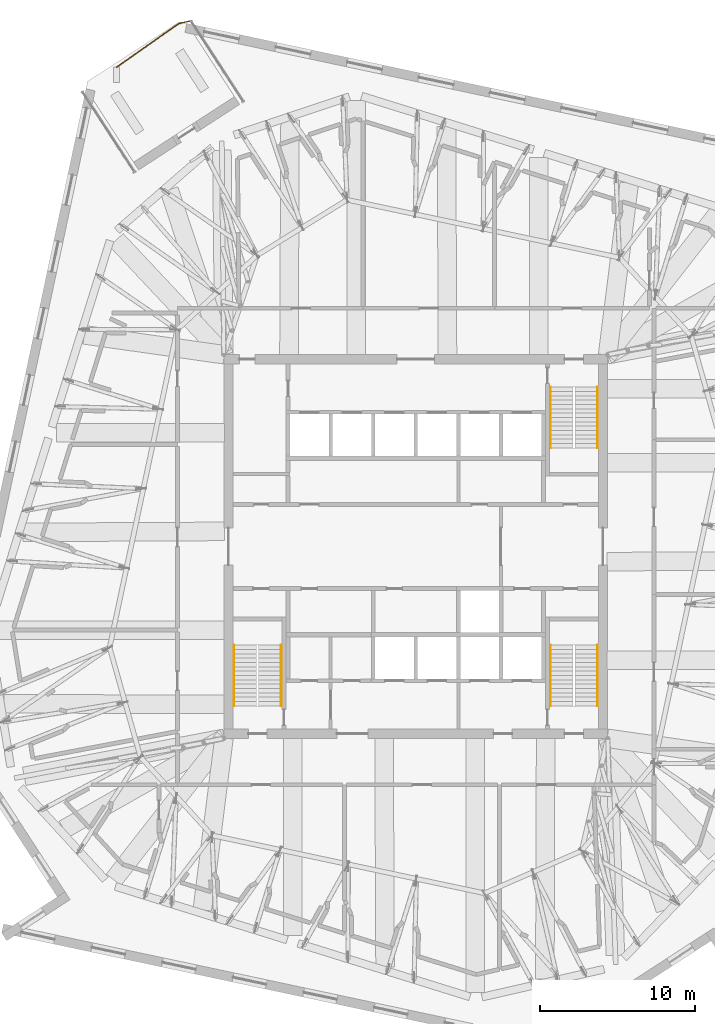
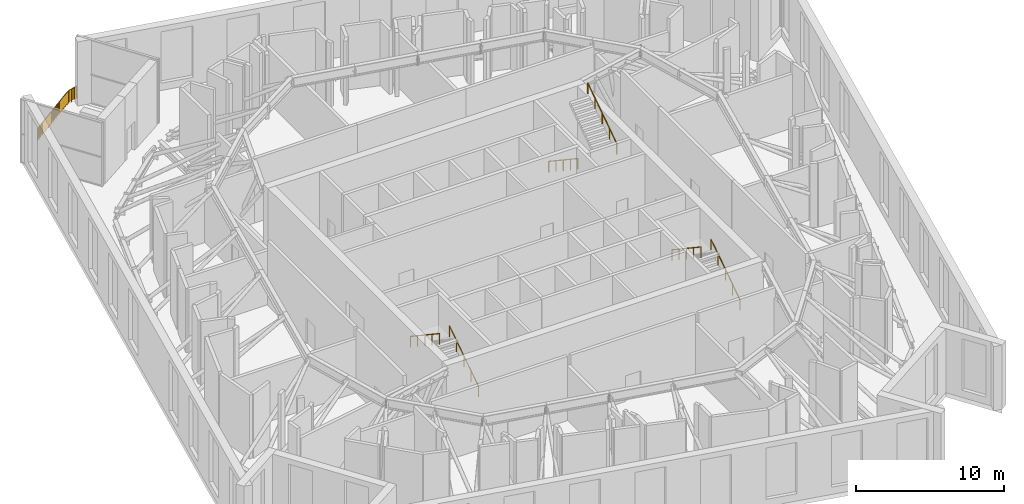
# One storey, part 18 of 19: 7 railings.
"""IFC4 building model written with IfcOpenShell, lengths in metres."""

from ifc_helpers import new_model, si_unit, direction, frame, origin, origin_2d, place, context, subcontext, project, spatial, rectangle, circle, extrude, material, type_object, element, save


model = new_model("IFC4")

# Units and contexts
model_context = context("Model", 3, precision=1e-05, world=origin(), true_north=direction((0.0, 1.0)))
body_context = subcontext(model_context, "Body", "Model", "MODEL_VIEW")
ifc_project = project(units=[si_unit("LENGTHUNIT", "METRE"), si_unit("AREAUNIT", "SQUARE_METRE"), si_unit("VOLUMEUNIT", "CUBIC_METRE"), si_unit("PLANEANGLEUNIT", "RADIAN"), si_unit("MASSUNIT", "GRAM", prefix="KILO")], contexts=[model_context])

# Site, building, storey
site_placement = place(None, origin())
site = spatial("IfcSite", under=ifc_project, at=site_placement, CompositionType="ELEMENT")
building_placement = place(site_placement, origin())
building = spatial("IfcBuilding", under=site, at=building_placement, Name="Dilmun Exchange Tower", CompositionType="ELEMENT")
storey_placement = place(building_placement, frame((0.0, 0.0, 344.5)))
storey = spatial("IfcBuildingStorey", under=building, at=storey_placement, Name="L82", CompositionType="ELEMENT", Elevation=344.5)

# Railings
ifc_material = material(Name="Stainless steel", Category="steel")
railing_type_1 = type_object("IfcRailingType", Name="Stair handrail 900", PredefinedType="HANDRAIL", material=ifc_material)
railing_1_placement = place(storey_placement, frame((8.699951171875, 10.300048828125, 0.186767578125)))
element("IfcRailing", 1, at=railing_1_placement, inside=storey, type_object=railing_type_1, Name="L82 ST1 stair handrail 1", PredefinedType="HANDRAIL", context=body_context, shape_type="SweptSolid", body=[
    extrude(circle(Radius=0.02392578125, at=origin_2d()), frame((0.0, 0.0, 0.8759765625), z_axis=(0.0, -0.832066238466, 0.554676279289), x_axis=(1.0, 0.0, 0.0)), (0.0, 0.0, 1.0), 4.71142578125),
    extrude(circle(Radius=0.02099609375, at=origin_2d()), origin(), (0.0, 0.0, 1.0), 0.851806640625),
    extrude(circle(Radius=0.02099609375, at=origin_2d()), frame((0.0, -0.97998046875, 0.6533203125)), (0.0, 0.0, 1.0), 0.851806640625),
    extrude(circle(Radius=0.02099609375, at=origin_2d()), frame((0.0, -1.9599609375, 1.306640625)), (0.0, 0.0, 1.0), 0.851806640625),
    extrude(circle(Radius=0.02099609375, at=origin_2d()), frame((0.0, -2.940185546875, 1.9599609375)), (0.0, 0.0, 1.0), 0.851806640625),
    extrude(circle(Radius=0.02099609375, at=origin_2d()), frame((0.0, -3.920166015625, 2.61328125)), (0.0, 0.0, 1.0), 0.851806640625),
])
railing_2_placement = place(storey_placement, frame((11.75, 6.3798828125, 2.986572265625)))
element("IfcRailing", 2, at=railing_2_placement, inside=storey, type_object=railing_type_1, Name="L82 ST1 stair handrail 2", PredefinedType="HANDRAIL", context=body_context, shape_type="SweptSolid", body=[
    extrude(circle(Radius=0.02392578125, at=origin_2d()), frame((0.0, 0.0, 0.8759765625), z_axis=(0.0, 0.832042322245, 0.554712154178), x_axis=(-1.0, 0.0, 0.0)), (0.0, 0.0, 1.0), 4.71142578125),
    extrude(circle(Radius=0.02099609375, at=origin_2d()), origin(), (0.0, 0.0, 1.0), 0.851806640625),
    extrude(circle(Radius=0.02099609375, at=origin_2d()), frame((0.0, 0.97998046875, 0.6533203125)), (0.0, 0.0, 1.0), 0.851806640625),
    extrude(circle(Radius=0.02099609375, at=origin_2d()), frame((0.0, 1.9599609375, 1.306640625)), (0.0, 0.0, 1.0), 0.851806640625),
    extrude(circle(Radius=0.02099609375, at=origin_2d()), frame((0.0, 2.940185546875, 1.960205078125)), (0.0, 0.0, 1.0), 0.851806640625),
    extrude(circle(Radius=0.02099609375, at=origin_2d()), frame((0.0, 3.920166015625, 2.613525390625)), (0.0, 0.0, 1.0), 0.851806640625),
])
railing_3_placement = place(storey_placement, frame((-8.699951171875, -10.300048828125, 0.186767578125)))
element("IfcRailing", 3, at=railing_3_placement, inside=storey, type_object=railing_type_1, Name="L82 ST2 stair handrail 1", PredefinedType="HANDRAIL", context=body_context, shape_type="SweptSolid", body=[
    extrude(circle(Radius=0.02392578125, at=origin_2d()), frame((0.0, 0.0, 0.8759765625), z_axis=(0.0, 0.832066238466, 0.554676279289), x_axis=(-1.0, 0.0, 0.0)), (0.0, 0.0, 1.0), 4.71142578125),
    extrude(circle(Radius=0.02099609375, at=origin_2d()), origin(), (0.0, 0.0, 1.0), 0.851806640625),
    extrude(circle(Radius=0.02099609375, at=origin_2d()), frame((0.0, 0.97998046875, 0.6533203125)), (0.0, 0.0, 1.0), 0.851806640625),
    extrude(circle(Radius=0.02099609375, at=origin_2d()), frame((0.0, 1.9599609375, 1.306640625)), (0.0, 0.0, 1.0), 0.851806640625),
    extrude(circle(Radius=0.02099609375, at=origin_2d()), frame((0.0, 2.940185546875, 1.9599609375)), (0.0, 0.0, 1.0), 0.851806640625),
    extrude(circle(Radius=0.02099609375, at=origin_2d()), frame((0.0, 3.920166015625, 2.61328125)), (0.0, 0.0, 1.0), 0.851806640625),
])
railing_4_placement = place(storey_placement, frame((-11.75, -6.3798828125, 2.986572265625)))
element("IfcRailing", 4, at=railing_4_placement, inside=storey, type_object=railing_type_1, Name="L82 ST2 stair handrail 2", PredefinedType="HANDRAIL", context=body_context, shape_type="SweptSolid", body=[
    extrude(circle(Radius=0.02392578125, at=origin_2d()), frame((0.0, 0.0, 0.8759765625), z_axis=(0.0, -0.832042322245, 0.554712154178), x_axis=(1.0, 0.0, 0.0)), (0.0, 0.0, 1.0), 4.71142578125),
    extrude(circle(Radius=0.02099609375, at=origin_2d()), origin(), (0.0, 0.0, 1.0), 0.851806640625),
    extrude(circle(Radius=0.02099609375, at=origin_2d()), frame((0.0, -0.97998046875, 0.6533203125)), (0.0, 0.0, 1.0), 0.851806640625),
    extrude(circle(Radius=0.02099609375, at=origin_2d()), frame((0.0, -1.9599609375, 1.306640625)), (0.0, 0.0, 1.0), 0.851806640625),
    extrude(circle(Radius=0.02099609375, at=origin_2d()), frame((0.0, -2.940185546875, 1.960205078125)), (0.0, 0.0, 1.0), 0.851806640625),
    extrude(circle(Radius=0.02099609375, at=origin_2d()), frame((0.0, -3.920166015625, 2.613525390625)), (0.0, 0.0, 1.0), 0.851806640625),
])
railing_5_placement = place(storey_placement, frame((11.75, -10.300048828125, 0.186767578125)))
element("IfcRailing", 5, at=railing_5_placement, inside=storey, type_object=railing_type_1, Name="L82 ST3 stair handrail 1", PredefinedType="HANDRAIL", context=body_context, shape_type="SweptSolid", body=[
    extrude(circle(Radius=0.02392578125, at=origin_2d()), frame((0.0, 0.0, 0.8759765625), z_axis=(0.0, 0.832066238466, 0.554676279289), x_axis=(-1.0, 0.0, 0.0)), (0.0, 0.0, 1.0), 4.71142578125),
    extrude(circle(Radius=0.02099609375, at=origin_2d()), origin(), (0.0, 0.0, 1.0), 0.851806640625),
    extrude(circle(Radius=0.02099609375, at=origin_2d()), frame((0.0, 0.97998046875, 0.6533203125)), (0.0, 0.0, 1.0), 0.851806640625),
    extrude(circle(Radius=0.02099609375, at=origin_2d()), frame((0.0, 1.9599609375, 1.306640625)), (0.0, 0.0, 1.0), 0.851806640625),
    extrude(circle(Radius=0.02099609375, at=origin_2d()), frame((0.0, 2.940185546875, 1.9599609375)), (0.0, 0.0, 1.0), 0.851806640625),
    extrude(circle(Radius=0.02099609375, at=origin_2d()), frame((0.0, 3.920166015625, 2.61328125)), (0.0, 0.0, 1.0), 0.851806640625),
])
railing_6_placement = place(storey_placement, frame((8.699951171875, -6.3798828125, 2.986572265625)))
element("IfcRailing", 6, at=railing_6_placement, inside=storey, type_object=railing_type_1, Name="L82 ST3 stair handrail 2", PredefinedType="HANDRAIL", context=body_context, shape_type="SweptSolid", body=[
    extrude(circle(Radius=0.02392578125, at=origin_2d()), frame((0.0, 0.0, 0.8759765625), z_axis=(0.0, -0.832042322245, 0.554712154178), x_axis=(1.0, 0.0, 0.0)), (0.0, 0.0, 1.0), 4.71142578125),
    extrude(circle(Radius=0.02099609375, at=origin_2d()), origin(), (0.0, 0.0, 1.0), 0.851806640625),
    extrude(circle(Radius=0.02099609375, at=origin_2d()), frame((0.0, -0.97998046875, 0.6533203125)), (0.0, 0.0, 1.0), 0.851806640625),
    extrude(circle(Radius=0.02099609375, at=origin_2d()), frame((0.0, -1.9599609375, 1.306640625)), (0.0, 0.0, 1.0), 0.851806640625),
    extrude(circle(Radius=0.02099609375, at=origin_2d()), frame((0.0, -2.940185546875, 1.960205078125)), (0.0, 0.0, 1.0), 0.851806640625),
    extrude(circle(Radius=0.02099609375, at=origin_2d()), frame((0.0, -3.920166015625, 2.613525390625)), (0.0, 0.0, 1.0), 0.851806640625),
])
railing_type_2 = type_object("IfcRailingType", Name="Terrace guard 1100 stainless steel", PredefinedType="GUARDRAIL", material=ifc_material)
railing_7_placement = place(storey_placement, frame((-14.541259765625, 33.977783203125, 0.0)))
element("IfcRailing", 7, at=railing_7_placement, inside=storey, type_object=railing_type_2, Name="Terrace guard 1", PredefinedType="GUARDRAIL", context=body_context, shape_type="SweptSolid", body=[
    extrude(circle(Radius=0.02392578125, at=origin_2d()), frame((0.0, 0.0, 1.076171875), z_axis=(-0.975814932926, -0.218598299808, 0.0), x_axis=(0.218598299808, -0.975814932926, 0.0)), (0.0, 0.0, 1.0), 0.248046875),
    extrude(rectangle(XDim=0.011962890625, YDim=0.951904296875, at=origin_2d()), frame((0.0, 0.0, 0.576171875), z_axis=(-0.975814932926, -0.218598299808, 0.0), x_axis=(0.218598299808, -0.975814932926, 0.0)), (0.0, 0.0, 1.0), 0.248046875),
    extrude(circle(Radius=0.02392578125, at=origin_2d()), frame((-0.241943359375, -0.05419921875, 1.076171875), z_axis=(-0.97539322833, -0.220472334153, 0.0), x_axis=(0.220472334153, -0.97539322833, 0.0)), (0.0, 0.0, 1.0), 0.248046875),
    extrude(rectangle(XDim=0.011962890625, YDim=0.951904296875, at=origin_2d()), frame((-0.241943359375, -0.05419921875, 0.576171875), z_axis=(-0.97539322833, -0.220472334153, 0.0), x_axis=(0.220472334153, -0.97539322833, 0.0)), (0.0, 0.0, 1.0), 0.248046875),
    extrude(circle(Radius=0.02392578125, at=origin_2d()), frame((-0.48388671875, -0.10888671875, 1.076171875), z_axis=(-0.975604485036, -0.21953562075, 0.0), x_axis=(0.21953562075, -0.975604485036, 0.0)), (0.0, 0.0, 1.0), 0.248046875),
    extrude(rectangle(XDim=0.011962890625, YDim=0.951904296875, at=origin_2d()), frame((-0.48388671875, -0.10888671875, 0.576171875), z_axis=(-0.975604485036, -0.21953562075, 0.0), x_axis=(0.21953562075, -0.975604485036, 0.0)), (0.0, 0.0, 1.0), 0.248046875),
    extrude(circle(Radius=0.02392578125, at=origin_2d()), frame((-0.725830078125, -0.163330078125, 1.076171875), z_axis=(-0.8611645473, -0.508326295281, 0.0), x_axis=(0.508326295281, -0.8611645473, 0.0)), (0.0, 0.0, 1.0), 0.244873046875),
    extrude(rectangle(XDim=0.011962890625, YDim=0.951904296875, at=origin_2d()), frame((-0.725830078125, -0.163330078125, 0.576171875), z_axis=(-0.8611645473, -0.508326295281, 0.0), x_axis=(0.508326295281, -0.8611645473, 0.0)), (0.0, 0.0, 1.0), 0.244873046875),
    extrude(circle(Radius=0.02392578125, at=origin_2d()), frame((-0.936767578125, -0.287841796875, 1.076171875), z_axis=(-0.818166660901, -0.57498114316, 0.0), x_axis=(0.57498114316, -0.818166660901, 0.0)), (0.0, 0.0, 1.0), 0.248046875),
    extrude(rectangle(XDim=0.011962890625, YDim=0.951904296875, at=origin_2d()), frame((-0.936767578125, -0.287841796875, 0.576171875), z_axis=(-0.818166660901, -0.57498114316, 0.0), x_axis=(0.57498114316, -0.818166660901, 0.0)), (0.0, 0.0, 1.0), 0.248046875),
    extrude(circle(Radius=0.02392578125, at=origin_2d()), frame((-1.1396484375, -0.430419921875, 1.076171875), z_axis=(-0.818491765699, -0.574518258616, 0.0), x_axis=(0.574518258616, -0.818491765699, 0.0)), (0.0, 0.0, 1.0), 0.248291015625),
    extrude(rectangle(XDim=0.011962890625, YDim=0.951904296875, at=origin_2d()), frame((-1.1396484375, -0.430419921875, 0.576171875), z_axis=(-0.818491765699, -0.574518258616, 0.0), x_axis=(0.574518258616, -0.818491765699, 0.0)), (0.0, 0.0, 1.0), 0.248291015625),
    extrude(circle(Radius=0.02392578125, at=origin_2d()), frame((-1.3427734375, -0.572998046875, 1.076171875), z_axis=(-0.818629822779, -0.574321524284, 0.0), x_axis=(0.574321524284, -0.818629822779, 0.0)), (0.0, 0.0, 1.0), 0.247802734375),
    extrude(rectangle(XDim=0.011962890625, YDim=0.951904296875, at=origin_2d()), frame((-1.3427734375, -0.572998046875, 0.576171875), z_axis=(-0.818629822779, -0.574321524284, 0.0), x_axis=(0.574321524284, -0.818629822779, 0.0)), (0.0, 0.0, 1.0), 0.247802734375),
    extrude(circle(Radius=0.02392578125, at=origin_2d()), frame((-1.545654296875, -0.71533203125, 1.076171875), z_axis=(-0.818491765699, -0.574518258616, 0.0), x_axis=(0.574518258616, -0.818491765699, 0.0)), (0.0, 0.0, 1.0), 0.248291015625),
    extrude(rectangle(XDim=0.011962890625, YDim=0.951904296875, at=origin_2d()), frame((-1.545654296875, -0.71533203125, 0.576171875), z_axis=(-0.818491765699, -0.574518258616, 0.0), x_axis=(0.574518258616, -0.818491765699, 0.0)), (0.0, 0.0, 1.0), 0.248291015625),
    extrude(circle(Radius=0.02392578125, at=origin_2d()), frame((-1.748779296875, -0.85791015625, 1.076171875), z_axis=(-0.818166660901, -0.57498114316, 0.0), x_axis=(0.57498114316, -0.818166660901, 0.0)), (0.0, 0.0, 1.0), 0.248046875),
    extrude(rectangle(XDim=0.011962890625, YDim=0.951904296875, at=origin_2d()), frame((-1.748779296875, -0.85791015625, 0.576171875), z_axis=(-0.818166660901, -0.57498114316, 0.0), x_axis=(0.57498114316, -0.818166660901, 0.0)), (0.0, 0.0, 1.0), 0.248046875),
    extrude(circle(Radius=0.02392578125, at=origin_2d()), frame((-1.95166015625, -1.00048828125, 1.076171875), z_axis=(-0.818954365259, -0.573858647772, 0.0), x_axis=(0.573858647772, -0.818954365259, 0.0)), (0.0, 0.0, 1.0), 0.248046875),
    extrude(rectangle(XDim=0.011962890625, YDim=0.951904296875, at=origin_2d()), frame((-1.95166015625, -1.00048828125, 0.576171875), z_axis=(-0.818954365259, -0.573858647772, 0.0), x_axis=(0.573858647772, -0.818954365259, 0.0)), (0.0, 0.0, 1.0), 0.248046875),
    extrude(circle(Radius=0.02392578125, at=origin_2d()), frame((-2.15478515625, -1.142822265625, 1.076171875), z_axis=(-0.818166660901, -0.57498114316, 0.0), x_axis=(0.57498114316, -0.818166660901, 0.0)), (0.0, 0.0, 1.0), 0.248046875),
    extrude(rectangle(XDim=0.011962890625, YDim=0.951904296875, at=origin_2d()), frame((-2.15478515625, -1.142822265625, 0.576171875), z_axis=(-0.818166660901, -0.57498114316, 0.0), x_axis=(0.57498114316, -0.818166660901, 0.0)), (0.0, 0.0, 1.0), 0.248046875),
    extrude(circle(Radius=0.02392578125, at=origin_2d()), frame((-2.357666015625, -1.285400390625, 1.076171875), z_axis=(-0.818166660901, -0.57498114316, 0.0), x_axis=(0.57498114316, -0.818166660901, 0.0)), (0.0, 0.0, 1.0), 0.248046875),
    extrude(rectangle(XDim=0.011962890625, YDim=0.951904296875, at=origin_2d()), frame((-2.357666015625, -1.285400390625, 0.576171875), z_axis=(-0.818166660901, -0.57498114316, 0.0), x_axis=(0.57498114316, -0.818166660901, 0.0)), (0.0, 0.0, 1.0), 0.248046875),
    extrude(circle(Radius=0.02392578125, at=origin_2d()), frame((-2.560546875, -1.427978515625, 1.076171875), z_axis=(-0.818954365259, -0.573858647772, 0.0), x_axis=(0.573858647772, -0.818954365259, 0.0)), (0.0, 0.0, 1.0), 0.248046875),
    extrude(rectangle(XDim=0.011962890625, YDim=0.951904296875, at=origin_2d()), frame((-2.560546875, -1.427978515625, 0.576171875), z_axis=(-0.818954365259, -0.573858647772, 0.0), x_axis=(0.573858647772, -0.818954365259, 0.0)), (0.0, 0.0, 1.0), 0.248046875),
    extrude(circle(Radius=0.02392578125, at=origin_2d()), frame((-2.763671875, -1.5703125, 1.076171875), z_axis=(-0.818166660901, -0.57498114316, 0.0), x_axis=(0.57498114316, -0.818166660901, 0.0)), (0.0, 0.0, 1.0), 0.248046875),
    extrude(rectangle(XDim=0.011962890625, YDim=0.951904296875, at=origin_2d()), frame((-2.763671875, -1.5703125, 0.576171875), z_axis=(-0.818166660901, -0.57498114316, 0.0), x_axis=(0.57498114316, -0.818166660901, 0.0)), (0.0, 0.0, 1.0), 0.248046875),
    extrude(circle(Radius=0.02392578125, at=origin_2d()), frame((-2.966552734375, -1.712890625, 1.076171875), z_axis=(-0.818491765699, -0.574518258616, 0.0), x_axis=(0.574518258616, -0.818491765699, 0.0)), (0.0, 0.0, 1.0), 0.248291015625),
    extrude(rectangle(XDim=0.011962890625, YDim=0.951904296875, at=origin_2d()), frame((-2.966552734375, -1.712890625, 0.576171875), z_axis=(-0.818491765699, -0.574518258616, 0.0), x_axis=(0.574518258616, -0.818491765699, 0.0)), (0.0, 0.0, 1.0), 0.248291015625),
    extrude(circle(Radius=0.02392578125, at=origin_2d()), frame((-3.169677734375, -1.85546875, 1.076171875), z_axis=(-0.818629822779, -0.574321524284, 0.0), x_axis=(0.574321524284, -0.818629822779, 0.0)), (0.0, 0.0, 1.0), 0.247802734375),
    extrude(rectangle(XDim=0.011962890625, YDim=0.951904296875, at=origin_2d()), frame((-3.169677734375, -1.85546875, 0.576171875), z_axis=(-0.818629822779, -0.574321524284, 0.0), x_axis=(0.574321524284, -0.818629822779, 0.0)), (0.0, 0.0, 1.0), 0.247802734375),
    extrude(circle(Radius=0.02392578125, at=origin_2d()), frame((-3.37255859375, -1.997802734375, 1.076171875), z_axis=(-0.818491765699, -0.574518258616, 0.0), x_axis=(0.574518258616, -0.818491765699, 0.0)), (0.0, 0.0, 1.0), 0.248291015625),
    extrude(rectangle(XDim=0.011962890625, YDim=0.951904296875, at=origin_2d()), frame((-3.37255859375, -1.997802734375, 0.576171875), z_axis=(-0.818491765699, -0.574518258616, 0.0), x_axis=(0.574518258616, -0.818491765699, 0.0)), (0.0, 0.0, 1.0), 0.248291015625),
    extrude(circle(Radius=0.02392578125, at=origin_2d()), frame((-3.57568359375, -2.140380859375, 1.076171875), z_axis=(-0.818166660901, -0.57498114316, 0.0), x_axis=(0.57498114316, -0.818166660901, 0.0)), (0.0, 0.0, 1.0), 0.248046875),
    extrude(rectangle(XDim=0.011962890625, YDim=0.951904296875, at=origin_2d()), frame((-3.57568359375, -2.140380859375, 0.576171875), z_axis=(-0.818166660901, -0.57498114316, 0.0), x_axis=(0.57498114316, -0.818166660901, 0.0)), (0.0, 0.0, 1.0), 0.248046875),
    extrude(circle(Radius=0.02392578125, at=origin_2d()), frame((-3.778564453125, -2.282958984375, 1.076171875), z_axis=(-0.818954365259, -0.573858647772, 0.0), x_axis=(0.573858647772, -0.818954365259, 0.0)), (0.0, 0.0, 1.0), 0.248046875),
    extrude(rectangle(XDim=0.011962890625, YDim=0.951904296875, at=origin_2d()), frame((-3.778564453125, -2.282958984375, 0.576171875), z_axis=(-0.818954365259, -0.573858647772, 0.0), x_axis=(0.573858647772, -0.818954365259, 0.0)), (0.0, 0.0, 1.0), 0.248046875),
    extrude(circle(Radius=0.02392578125, at=origin_2d()), frame((-3.981689453125, -2.42529296875, 1.076171875), z_axis=(-0.818166660901, -0.57498114316, 0.0), x_axis=(0.57498114316, -0.818166660901, 0.0)), (0.0, 0.0, 1.0), 0.248046875),
    extrude(rectangle(XDim=0.011962890625, YDim=0.951904296875, at=origin_2d()), frame((-3.981689453125, -2.42529296875, 0.576171875), z_axis=(-0.818166660901, -0.57498114316, 0.0), x_axis=(0.57498114316, -0.818166660901, 0.0)), (0.0, 0.0, 1.0), 0.248046875),
    extrude(circle(Radius=0.02392578125, at=origin_2d()), frame((-4.1845703125, -2.56787109375, 1.076171875), z_axis=(-0.818491765699, -0.574518258616, 0.0), x_axis=(0.574518258616, -0.818491765699, 0.0)), (0.0, 0.0, 1.0), 0.248291015625),
    extrude(rectangle(XDim=0.011962890625, YDim=0.951904296875, at=origin_2d()), frame((-4.1845703125, -2.56787109375, 0.576171875), z_axis=(-0.818491765699, -0.574518258616, 0.0), x_axis=(0.574518258616, -0.818491765699, 0.0)), (0.0, 0.0, 1.0), 0.248291015625),
    extrude(circle(Radius=0.02392578125, at=origin_2d()), frame((-4.3876953125, -2.71044921875, 1.076171875), z_axis=(-0.818629822779, -0.574321524284, 0.0), x_axis=(0.574321524284, -0.818629822779, 0.0)), (0.0, 0.0, 1.0), 0.247802734375),
    extrude(rectangle(XDim=0.011962890625, YDim=0.951904296875, at=origin_2d()), frame((-4.3876953125, -2.71044921875, 0.576171875), z_axis=(-0.818629822779, -0.574321524284, 0.0), x_axis=(0.574321524284, -0.818629822779, 0.0)), (0.0, 0.0, 1.0), 0.247802734375),
    extrude(circle(Radius=0.02392578125, at=origin_2d()), frame((-4.590576171875, -2.852783203125, 1.076171875), z_axis=(-0.818166660901, -0.57498114316, 0.0), x_axis=(0.57498114316, -0.818166660901, 0.0)), (0.0, 0.0, 1.0), 0.248046875),
    extrude(rectangle(XDim=0.011962890625, YDim=0.951904296875, at=origin_2d()), frame((-4.590576171875, -2.852783203125, 0.576171875), z_axis=(-0.818166660901, -0.57498114316, 0.0), x_axis=(0.57498114316, -0.818166660901, 0.0)), (0.0, 0.0, 1.0), 0.248046875),
    extrude(circle(Radius=0.02099609375, at=origin_2d()), origin(), (0.0, 0.0, 1.0), 1.052001953125),
    extrude(circle(Radius=0.02099609375, at=origin_2d()), frame((-0.241943359375, -0.05419921875, 0.0)), (0.0, 0.0, 1.0), 1.052001953125),
    extrude(circle(Radius=0.02099609375, at=origin_2d()), frame((-0.48388671875, -0.10888671875, 0.0)), (0.0, 0.0, 1.0), 1.052001953125),
    extrude(circle(Radius=0.02099609375, at=origin_2d()), frame((-0.725830078125, -0.163330078125, 0.0)), (0.0, 0.0, 1.0), 1.052001953125),
    extrude(circle(Radius=0.02099609375, at=origin_2d()), frame((-0.936767578125, -0.287841796875, 0.0)), (0.0, 0.0, 1.0), 1.052001953125),
    extrude(circle(Radius=0.02099609375, at=origin_2d()), frame((-1.1396484375, -0.430419921875, 0.0)), (0.0, 0.0, 1.0), 1.052001953125),
    extrude(circle(Radius=0.02099609375, at=origin_2d()), frame((-1.3427734375, -0.572998046875, 0.0)), (0.0, 0.0, 1.0), 1.052001953125),
    extrude(circle(Radius=0.02099609375, at=origin_2d()), frame((-1.545654296875, -0.71533203125, 0.0)), (0.0, 0.0, 1.0), 1.052001953125),
    extrude(circle(Radius=0.02099609375, at=origin_2d()), frame((-1.748779296875, -0.85791015625, 0.0)), (0.0, 0.0, 1.0), 1.052001953125),
    extrude(circle(Radius=0.02099609375, at=origin_2d()), frame((-1.95166015625, -1.00048828125, 0.0)), (0.0, 0.0, 1.0), 1.052001953125),
    extrude(circle(Radius=0.02099609375, at=origin_2d()), frame((-2.15478515625, -1.142822265625, 0.0)), (0.0, 0.0, 1.0), 1.052001953125),
    extrude(circle(Radius=0.02099609375, at=origin_2d()), frame((-2.357666015625, -1.285400390625, 0.0)), (0.0, 0.0, 1.0), 1.052001953125),
    extrude(circle(Radius=0.02099609375, at=origin_2d()), frame((-2.560546875, -1.427978515625, 0.0)), (0.0, 0.0, 1.0), 1.052001953125),
    extrude(circle(Radius=0.02099609375, at=origin_2d()), frame((-2.763671875, -1.5703125, 0.0)), (0.0, 0.0, 1.0), 1.052001953125),
    extrude(circle(Radius=0.02099609375, at=origin_2d()), frame((-2.966552734375, -1.712890625, 0.0)), (0.0, 0.0, 1.0), 1.052001953125),
    extrude(circle(Radius=0.02099609375, at=origin_2d()), frame((-3.169677734375, -1.85546875, 0.0)), (0.0, 0.0, 1.0), 1.052001953125),
    extrude(circle(Radius=0.02099609375, at=origin_2d()), frame((-3.37255859375, -1.997802734375, 0.0)), (0.0, 0.0, 1.0), 1.052001953125),
    extrude(circle(Radius=0.02099609375, at=origin_2d()), frame((-3.57568359375, -2.140380859375, 0.0)), (0.0, 0.0, 1.0), 1.052001953125),
    extrude(circle(Radius=0.02099609375, at=origin_2d()), frame((-3.778564453125, -2.282958984375, 0.0)), (0.0, 0.0, 1.0), 1.052001953125),
    extrude(circle(Radius=0.02099609375, at=origin_2d()), frame((-3.981689453125, -2.42529296875, 0.0)), (0.0, 0.0, 1.0), 1.052001953125),
    extrude(circle(Radius=0.02099609375, at=origin_2d()), frame((-4.1845703125, -2.56787109375, 0.0)), (0.0, 0.0, 1.0), 1.052001953125),
    extrude(circle(Radius=0.02099609375, at=origin_2d()), frame((-4.3876953125, -2.71044921875, 0.0)), (0.0, 0.0, 1.0), 1.052001953125),
    extrude(circle(Radius=0.02099609375, at=origin_2d()), frame((-4.590576171875, -2.852783203125, 0.0)), (0.0, 0.0, 1.0), 1.052001953125),
    extrude(circle(Radius=0.02099609375, at=origin_2d()), frame((-4.79345703125, -2.995361328125, 0.0)), (0.0, 0.0, 1.0), 1.052001953125),
])

save(model, "model.ifc")
